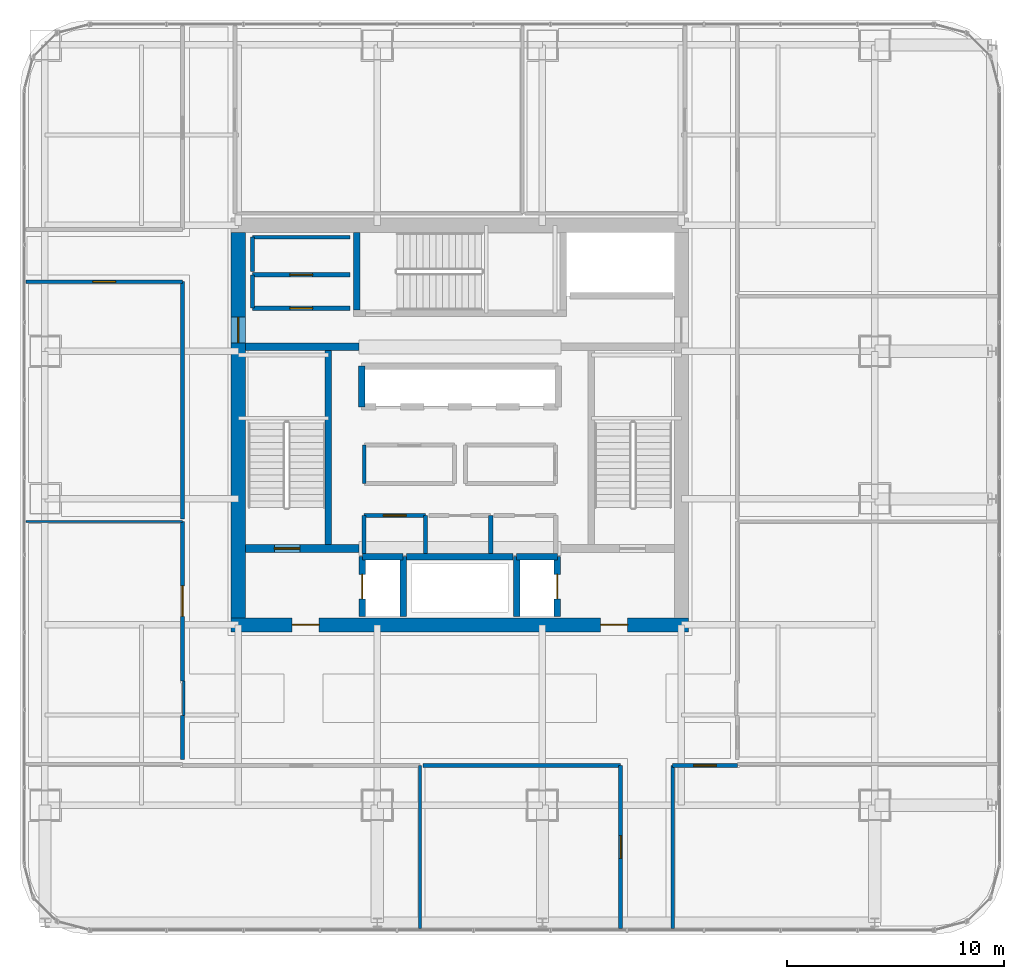
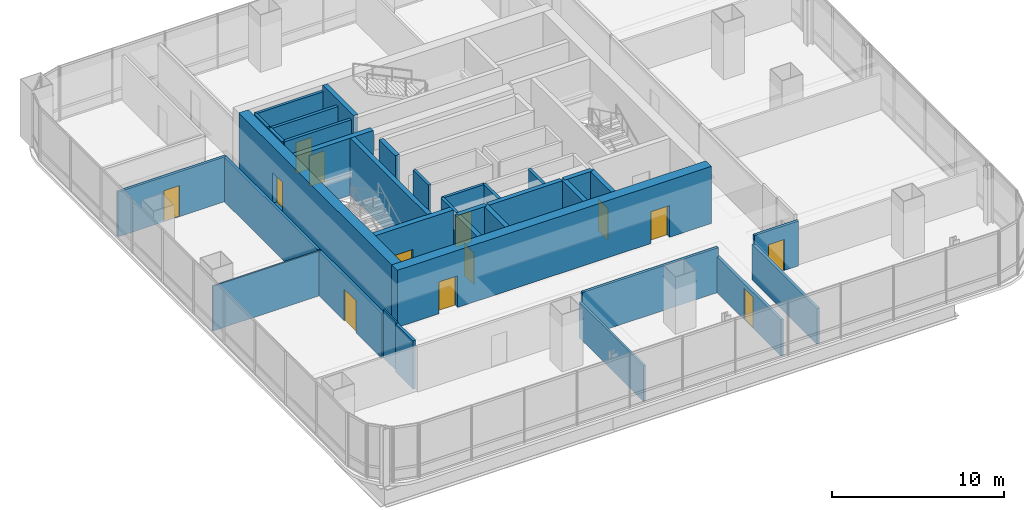
# One storey, part 29 of 36: 35 walls, 13 doors, 13 openings.
"""IFC4 building model written with IfcOpenShell, lengths in metres."""

from ifc_helpers import new_model, si_unit, direction, frame, frame_2d, origin, place, context, subcontext, project, spatial, rectangle, extrude, material, layer, layer_set, type_object, element, fill, save


model = new_model("IFC4")

# Units and contexts
model_context = context("Model", 3, precision=1e-05, world=origin(), true_north=direction((0.0, 1.0)))
body_context = subcontext(model_context, "Body", "Model", "MODEL_VIEW")
ifc_project = project(units=[si_unit("LENGTHUNIT", "METRE"), si_unit("AREAUNIT", "SQUARE_METRE"), si_unit("VOLUMEUNIT", "CUBIC_METRE"), si_unit("PLANEANGLEUNIT", "RADIAN"), si_unit("MASSUNIT", "GRAM", prefix="KILO")], contexts=[model_context])

# Site, building, storey
site_placement = place(None, origin())
site = spatial("IfcSite", under=ifc_project, at=site_placement, CompositionType="ELEMENT")
building_placement = place(site_placement, origin())
building = spatial("IfcBuilding", under=site, at=building_placement, Name="Punatoya Terracotta Tower", CompositionType="ELEMENT")
storey_placement = place(building_placement, frame((0.0, 0.0, 208.64990234375)))
storey = spatial("IfcBuildingStorey", under=building, at=storey_placement, Name="L49", CompositionType="ELEMENT", Elevation=208.64990234375)

# Wall, openings, doors
ifc_material_1 = material(Name="Concrete C60/75", Category="concrete")
ifc_layer_1 = layer(ifc_material_1, 0.64990234375)
ifc_layer_set_1 = layer_set([ifc_layer_1], Name="Concrete C60/75")
wall_type_1 = type_object("IfcWallType", Name="WL-COR-650", PredefinedType="SHEAR", material=ifc_layer_set_1)
wall_1_placement = place(storey_placement, frame((10.52490234375, -9.199951171875, 0.0), z_axis=(0.0, 0.0, 1.0), x_axis=(-1.0, 0.0, 0.0)))
wall_1 = element("IfcWall", 1, at=wall_1_placement, inside=storey, type_object=wall_type_1, Name="L49 Core Shear Wall S", PredefinedType="SHEAR", context=body_context, shape_type="SweptSolid", body=[
    extrude(rectangle(XDim=21.0498046875, YDim=0.64990234375, at=frame_2d((10.52490234375, 0.0))), origin(), (0.0, 0.0, 1.0), 4.050048828125),
])
opening_1_placement = place(wall_1_placement, frame((2.800048828125, 0.0, 0.0)))
opening_1 = element("IfcOpeningElement", 2, at=opening_1_placement, cuts=wall_1, Name="Opening FD-L1", PredefinedType="OPENING", context=body_context, shape_type="SweptSolid", body=[
    extrude(rectangle(XDim=1.25, YDim=2.25, at=frame_2d((0.625, 1.125))), frame((0.0, 0.3349609375, 0.0), z_axis=(0.0, -1.0, 0.0), x_axis=(1.0, 0.0, 0.0)), (0.0, 0.0, 1.0), 0.669921875),
])
opening_2_placement = place(wall_1_placement, frame((17.0, 0.0, 0.0)))
opening_2 = element("IfcOpeningElement", 3, at=opening_2_placement, cuts=wall_1, Name="Opening FD-L1", PredefinedType="OPENING", context=body_context, shape_type="SweptSolid", body=[
    extrude(rectangle(XDim=1.25, YDim=2.25, at=frame_2d((0.625, 1.125))), frame((0.0, 0.3349609375, 0.0), z_axis=(0.0, -1.0, 0.0), x_axis=(1.0, 0.0, 0.0)), (0.0, 0.0, 1.0), 0.669921875),
])
ifc_material_2 = material(Name="Galvanised Steel Smokeproof Fire Door", Category="steel")
door_type_1 = type_object("IfcDoorType", Name="DR-FFL-1250", OperationType="NOTDEFINED", PredefinedType="DOOR", material=ifc_material_2)
door_1_placement = place(opening_1_placement, origin())
door_1 = element("IfcDoor", 4, at=door_1_placement, inside=storey, type_object=door_type_1, Name="L49 East Firefighting Lobby Corridor Fire Door", OperationType="SINGLE_SWING_LEFT", OverallHeight=2.25, OverallWidth=1.25, PredefinedType="DOOR", context=body_context, shape_type="SweptSolid", body=[
    extrude(rectangle(XDim=1.25, YDim=2.25, at=frame_2d((0.625, 1.125))), frame((0.0, 0.02490234375, 0.0), z_axis=(0.0, -1.0, 0.0), x_axis=(1.0, 0.0, 0.0)), (0.0, 0.0, 1.0), 0.050048828125),
])
fill(opening_1, door_1)
door_2_placement = place(opening_2_placement, origin())
door_2 = element("IfcDoor", 5, at=door_2_placement, inside=storey, type_object=door_type_1, Name="L49 West Firefighting Lobby Corridor Fire Door", OperationType="SINGLE_SWING_RIGHT", OverallHeight=2.25, OverallWidth=1.25, PredefinedType="DOOR", context=body_context, shape_type="SweptSolid", body=[
    extrude(rectangle(XDim=1.25, YDim=2.25, at=frame_2d((0.625, 1.125))), frame((0.0, 0.02490234375, 0.0), z_axis=(0.0, -1.0, 0.0), x_axis=(1.0, 0.0, 0.0)), (0.0, 0.0, 1.0), 0.050048828125),
])
fill(opening_2, door_2)

# Wall, opening, door
wall_2_placement = place(storey_placement, frame((-10.199951171875, -8.875, 0.0), z_axis=(0.0, 0.0, 1.0), x_axis=(0.0, 1.0, 0.0)))
wall_2 = element("IfcWall", 6, at=wall_2_placement, inside=storey, type_object=wall_type_1, Name="L49 Core Shear Wall W", PredefinedType="SHEAR", context=body_context, shape_type="SweptSolid", body=[
    extrude(rectangle(XDim=17.75, YDim=0.64990234375, at=frame_2d((8.875, 0.0))), origin(), (0.0, 0.0, 1.0), 4.050048828125),
])
opening_3_placement = place(wall_2_placement, frame((12.6650390625, 0.0, 0.0)))
opening_3 = element("IfcOpeningElement", 7, at=opening_3_placement, cuts=wall_2, Name="Opening SD-01", PredefinedType="OPENING", context=body_context, shape_type="SweptSolid", body=[
    extrude(rectangle(XDim=1.179931640625, YDim=2.199951171875, at=frame_2d((0.58984375, 1.10009765625))), frame((0.0, 0.3349609375, 0.0), z_axis=(0.0, -1.0, 0.0), x_axis=(1.0, 0.0, 0.0)), (0.0, 0.0, 1.0), 0.669921875),
])
ifc_material_3 = material(Name="Galvanised Steel Pressurized Stair Fire Door", Category="steel")
door_type_2 = type_object("IfcDoorType", Name="DR-STR-1180", OperationType="NOTDEFINED", PredefinedType="DOOR", material=ifc_material_3)
door_3_placement = place(opening_3_placement, origin())
door_3 = element("IfcDoor", 8, at=door_3_placement, inside=storey, type_object=door_type_2, Name="L49 Central Lift Lobby West Fire Door", OperationType="SINGLE_SWING_LEFT", OverallHeight=2.199951171875, OverallWidth=1.179931640625, PredefinedType="DOOR", context=body_context, shape_type="SweptSolid", body=[
    extrude(rectangle(XDim=1.179931640625, YDim=2.199951171875, at=frame_2d((0.58984375, 1.10009765625))), frame((0.0, 0.02490234375, 0.0), z_axis=(0.0, -1.0, 0.0), x_axis=(1.0, 0.0, 0.0)), (0.0, 0.0, 1.0), 0.050048828125),
])
fill(opening_3, door_3)

# Wall
ifc_material_4 = material(Name="Gypsum Fireboard + Steel Stud", Category="steel")
ifc_layer_2 = layer(ifc_material_4, 0.179931640625)
ifc_layer_set_2 = layer_set([ifc_layer_2], Name="Gypsum Fireboard + Steel Stud")
wall_type_2 = type_object("IfcWallType", Name="WL-CORR-180", PredefinedType="PARTITIONING", material=ifc_layer_set_2)
wall_3_placement = place(storey_placement, frame((-1.580078125, -5.89990234375, 0.0), z_axis=(0.0, 0.0, 1.0), x_axis=(0.0, 1.0, 0.0)))
element("IfcWall", 9, at=wall_3_placement, inside=storey, type_object=wall_type_2, Name="L49 Core Quiet Wellness Room Partition 01", PredefinedType="PARTITIONING", context=body_context, shape_type="SweptSolid", body=[
    extrude(rectangle(XDim=1.739990234375, YDim=0.179931640625, at=frame_2d((0.8701171875, 0.0))), origin(), (0.0, 0.0, 1.0), 3.830078125),
])

# Wall, opening, door
wall_4_placement = place(storey_placement, frame((-1.580078125, -4.159912109375, 0.0), z_axis=(0.0, 0.0, 1.0), x_axis=(-1.0, 0.0, 0.0)))
wall_4 = element("IfcWall", 10, at=wall_4_placement, inside=storey, type_object=wall_type_2, Name="L49 Core Quiet Wellness Room Partition 02", PredefinedType="PARTITIONING", context=body_context, shape_type="SweptSolid", body=[
    extrude(rectangle(XDim=2.83984375, YDim=0.179931640625, at=frame_2d((1.419921875, 0.0))), origin(), (0.0, 0.0, 1.0), 3.830078125),
])
opening_4_placement = place(wall_4_placement, frame((0.89501953125, 0.0, 0.0)))
opening_4 = element("IfcOpeningElement", 11, at=opening_4_placement, cuts=wall_4, Name="Opening OD-01", PredefinedType="OPENING", context=body_context, shape_type="SweptSolid", body=[
    extrude(rectangle(XDim=1.050048828125, YDim=2.199951171875, at=frame_2d((0.52490234375, 1.10009765625))), frame((0.0, 0.099853515625, 0.0), z_axis=(0.0, -1.0, 0.0), x_axis=(1.0, 0.0, 0.0)), (0.0, 0.0, 1.0), 0.199951171875),
])
ifc_material_5 = material(Name="Bengal Teak Solid-Core Leaf")
door_type_3 = type_object("IfcDoorType", Name="DR-OFF-1050", OperationType="NOTDEFINED", PredefinedType="DOOR", material=ifc_material_5)
door_4_placement = place(opening_4_placement, origin())
door_4 = element("IfcDoor", 12, at=door_4_placement, inside=storey, type_object=door_type_3, Name="L49 Quiet Wellness Room Door", OperationType="SINGLE_SWING_LEFT", OverallHeight=2.199951171875, OverallWidth=1.050048828125, PredefinedType="DOOR", context=body_context, shape_type="SweptSolid", body=[
    extrude(rectangle(XDim=1.050048828125, YDim=2.199951171875, at=frame_2d((0.52490234375, 1.10009765625))), frame((0.0, 0.02490234375, 0.0), z_axis=(0.0, -1.0, 0.0), x_axis=(1.0, 0.0, 0.0)), (0.0, 0.0, 1.0), 0.050048828125),
])
fill(opening_4, door_4)

# Walls
wall_5_placement = place(storey_placement, frame((-4.419921875, -4.159912109375, 0.0), z_axis=(0.0, 0.0, 1.0), x_axis=(0.0, -1.0, 0.0)))
element("IfcWall", 13, at=wall_5_placement, inside=storey, type_object=wall_type_2, Name="L49 Core Quiet Wellness Room Partition 03", PredefinedType="PARTITIONING", context=body_context, shape_type="SweptSolid", body=[
    extrude(rectangle(XDim=1.739990234375, YDim=0.179931640625, at=frame_2d((0.8701171875, 0.0))), origin(), (0.0, 0.0, 1.0), 3.830078125),
])
wall_6_placement = place(storey_placement, frame((-4.39990234375, -0.919921875, 0.0), z_axis=(0.0, 0.0, 1.0), x_axis=(0.0, -1.0, 0.0)))
element("IfcWall", 14, at=wall_6_placement, inside=storey, type_object=wall_type_2, Name="L49 West Core Focus Pod Partition 10", PredefinedType="PARTITIONING", context=body_context, shape_type="SweptSolid", body=[
    extrude(rectangle(XDim=1.760009765625, YDim=0.179931640625, at=frame_2d((0.8798828125, 0.0))), origin(), (0.0, 0.0, 1.0), 3.830078125),
])
wall_7_placement = place(storey_placement, frame((-5.050048828125, 8.64990234375, 0.0), z_axis=(0.0, 0.0, 1.0), x_axis=(-1.0, 0.0, 0.0)))
element("IfcWall", 15, at=wall_7_placement, inside=storey, type_object=wall_type_2, Name="L49 West Core Copy Room Partition 19", PredefinedType="PARTITIONING", context=body_context, shape_type="SweptSolid", body=[
    extrude(rectangle(XDim=4.5, YDim=0.179931640625, at=frame_2d((2.25, 0.0))), origin(), (0.0, 0.0, 1.0), 3.830078125),
])
wall_8_placement = place(storey_placement, frame((-9.550048828125, 8.64990234375, 0.0), z_axis=(0.0, 0.0, 1.0), x_axis=(0.0, -1.0, 0.0)))
element("IfcWall", 16, at=wall_8_placement, inside=storey, type_object=wall_type_2, Name="L49 West Core Copy Room Partition 20", PredefinedType="PARTITIONING", context=body_context, shape_type="SweptSolid", body=[
    extrude(rectangle(XDim=1.56982421875, YDim=0.179931640625, at=frame_2d((0.784912109375, 0.0))), origin(), (0.0, 0.0, 1.0), 3.830078125),
])

# Wall, opening, door
wall_9_placement = place(storey_placement, frame((7.39990234375, -15.669921875, 0.0), z_axis=(0.0, 0.0, 1.0), x_axis=(0.0, -1.0, 0.0)))
wall_9 = element("IfcWall", 17, at=wall_9_placement, inside=storey, type_object=wall_type_2, Name="L49 Open-Plan Analytical Practice Office Partition 24", PredefinedType="PARTITIONING", context=body_context, shape_type="SweptSolid", body=[
    extrude(rectangle(XDim=7.5, YDim=0.179931640625, at=frame_2d((3.75, 0.0))), origin(), (0.0, 0.0, 1.0), 2.544189453125),
])
opening_5_placement = place(wall_9_placement, frame((3.22509765625, 0.0, 0.0)))
opening_5 = element("IfcOpeningElement", 18, at=opening_5_placement, cuts=wall_9, Name="Opening OD-01", PredefinedType="OPENING", context=body_context, shape_type="SweptSolid", body=[
    extrude(rectangle(XDim=1.050048828125, YDim=2.199951171875, at=frame_2d((0.52490234375, 1.10009765625))), frame((0.0, 0.099853515625, 0.0), z_axis=(0.0, -1.0, 0.0), x_axis=(1.0, 0.0, 0.0)), (0.0, 0.0, 1.0), 0.199951171875),
])
door_5_placement = place(opening_5_placement, origin())
door_5 = element("IfcDoor", 19, at=door_5_placement, inside=storey, type_object=door_type_3, Name="L49 Open-Plan Analytical Practice Office Door", OperationType="SINGLE_SWING_LEFT", OverallHeight=2.199951171875, OverallWidth=1.050048828125, PredefinedType="DOOR", context=body_context, shape_type="SweptSolid", body=[
    extrude(rectangle(XDim=1.050048828125, YDim=2.199951171875, at=frame_2d((0.52490234375, 1.10009765625))), frame((0.0, 0.02490234375, 0.0), z_axis=(0.0, -1.0, 0.0), x_axis=(1.0, 0.0, 0.0)), (0.0, 0.0, 1.0), 0.050048828125),
])
fill(opening_5, door_5)

# Wall
wall_10_placement = place(storey_placement, frame((-1.70703125, -15.669921875, 0.0), z_axis=(0.0, 0.0, 1.0), x_axis=(1.0, 0.0, 0.0)))
element("IfcWall", 20, at=wall_10_placement, inside=storey, type_object=wall_type_2, Name="L49 Open-Plan Analytical Practice Office Partition 25", PredefinedType="PARTITIONING", context=body_context, shape_type="SweptSolid", body=[
    extrude(rectangle(XDim=9.10693359375, YDim=0.179931640625, at=frame_2d((4.553466796875, 0.0))), origin(), (0.0, 0.0, 1.0), 3.174072265625),
])

# Wall, opening, door
wall_11_placement = place(storey_placement, frame((9.800048828125, -15.669921875, 0.0), z_axis=(0.0, 0.0, 1.0), x_axis=(1.0, 0.0, 0.0)))
wall_11 = element("IfcWall", 21, at=wall_11_placement, inside=storey, type_object=wall_type_2, Name="L49 Open-Plan Project Design Office Partition 26", PredefinedType="PARTITIONING", context=body_context, shape_type="SweptSolid", body=[
    extrude(rectangle(XDim=2.969970703125, YDim=0.179931640625, at=frame_2d((1.48486328125, 0.0))), origin(), (0.0, 0.0, 1.0), 3.174072265625),
])
opening_6_placement = place(wall_11_placement, frame((0.9599609375, 0.0, 0.0)))
opening_6 = element("IfcOpeningElement", 22, at=opening_6_placement, cuts=wall_11, Name="Opening OD-01", PredefinedType="OPENING", context=body_context, shape_type="SweptSolid", body=[
    extrude(rectangle(XDim=1.050048828125, YDim=2.199951171875, at=frame_2d((0.52490234375, 1.10009765625))), frame((0.0, 0.099853515625, 0.0), z_axis=(0.0, -1.0, 0.0), x_axis=(1.0, 0.0, 0.0)), (0.0, 0.0, 1.0), 0.199951171875),
])
door_6_placement = place(opening_6_placement, origin())
door_6 = element("IfcDoor", 23, at=door_6_placement, inside=storey, type_object=door_type_3, Name="L49 Open-Plan Project Design Office Door", OperationType="SINGLE_SWING_RIGHT", OverallHeight=2.199951171875, OverallWidth=1.050048828125, PredefinedType="DOOR", context=body_context, shape_type="SweptSolid", body=[
    extrude(rectangle(XDim=1.050048828125, YDim=2.199951171875, at=frame_2d((0.52490234375, 1.10009765625))), frame((0.0, 0.02490234375, 0.0), z_axis=(0.0, -1.0, 0.0), x_axis=(1.0, 0.0, 0.0)), (0.0, 0.0, 1.0), 0.050048828125),
])
fill(opening_6, door_6)

# Wall
wall_12_placement = place(storey_placement, frame((9.800048828125, -23.169921875, 0.0), z_axis=(0.0, 0.0, 1.0), x_axis=(0.0, 1.0, 0.0)))
element("IfcWall", 24, at=wall_12_placement, inside=storey, type_object=wall_type_2, Name="L49 Open-Plan Project Design Office Partition 28", PredefinedType="PARTITIONING", context=body_context, shape_type="SweptSolid", body=[
    extrude(rectangle(XDim=7.5, YDim=0.179931640625, at=frame_2d((3.75, 0.0))), origin(), (0.0, 0.0, 1.0), 2.544189453125),
])

# Wall, opening, door
wall_13_placement = place(storey_placement, frame((-12.77001953125, -4.43798828125, 0.0), z_axis=(0.0, 0.0, 1.0), x_axis=(0.0, -1.0, 0.0)))
wall_13 = element("IfcWall", 25, at=wall_13_placement, inside=storey, type_object=wall_type_2, Name="L49 Client Strategy Boardroom Partition 30", PredefinedType="PARTITIONING", context=body_context, shape_type="SweptSolid", body=[
    extrude(rectangle(XDim=7.33203125, YDim=0.179931640625, at=frame_2d((3.666015625, 0.0))), origin(), (0.0, 0.0, 1.0), 3.174072265625),
])
opening_7_placement = place(wall_13_placement, frame((2.966064453125, 0.0, 0.0)))
opening_7 = element("IfcOpeningElement", 26, at=opening_7_placement, cuts=wall_13, Name="Opening BD-01", PredefinedType="OPENING", context=body_context, shape_type="SweptSolid", body=[
    extrude(rectangle(XDim=1.39990234375, YDim=2.25, at=frame_2d((0.699951171875, 1.125))), frame((0.0, 0.099853515625, 0.0), z_axis=(0.0, -1.0, 0.0), x_axis=(1.0, 0.0, 0.0)), (0.0, 0.0, 1.0), 0.199951171875),
])
ifc_material_6 = material(Name="Bengal Teak Acoustic Leaf")
door_type_4 = type_object("IfcDoorType", Name="DR-BRD-1400", OperationType="NOTDEFINED", PredefinedType="DOOR", material=ifc_material_6)
door_7_placement = place(opening_7_placement, origin())
door_7 = element("IfcDoor", 27, at=door_7_placement, inside=storey, type_object=door_type_4, Name="L49 Client Strategy Boardroom Door", OperationType="SINGLE_SWING_LEFT", OverallHeight=2.25, OverallWidth=1.39990234375, PredefinedType="DOOR", context=body_context, shape_type="SweptSolid", body=[
    extrude(rectangle(XDim=1.39990234375, YDim=2.25, at=frame_2d((0.699951171875, 1.125))), frame((0.0, 0.02490234375, 0.0), z_axis=(0.0, -1.0, 0.0), x_axis=(1.0, 0.0, 0.0)), (0.0, 0.0, 1.0), 0.050048828125),
])
fill(opening_7, door_7)

# Wall
wall_14_placement = place(storey_placement, frame((-12.77001953125, -13.3798828125, 0.0), z_axis=(0.0, 0.0, 1.0), x_axis=(0.0, -1.0, 0.0)))
element("IfcWall", 28, at=wall_14_placement, inside=storey, type_object=wall_type_2, Name="L49 Client Strategy Boardroom Partition 32", PredefinedType="PARTITIONING", context=body_context, shape_type="SweptSolid", body=[
    extrude(rectangle(XDim=2.010009765625, YDim=0.179931640625, at=frame_2d((1.0048828125, 0.0))), origin(), (0.0, 0.0, 1.0), 3.424072265625),
])

# Wall, opening, door
wall_15_placement = place(storey_placement, frame((-19.969970703125, 6.60009765625, 0.0), z_axis=(0.0, 0.0, 1.0), x_axis=(1.0, 0.0, 0.0)))
wall_15 = element("IfcWall", 29, at=wall_15_placement, inside=storey, type_object=wall_type_2, Name="L49 Open-Plan Wellness Quiet Room Partition 39", PredefinedType="PARTITIONING", context=body_context, shape_type="SweptSolid", body=[
    extrude(rectangle(XDim=7.199951171875, YDim=0.179931640625, at=frame_2d((3.60009765625, 0.0))), origin(), (0.0, 0.0, 1.0), 3.174072265625),
])
opening_8_placement = place(wall_15_placement, frame((3.074951171875, 0.0, 0.0)))
opening_8 = element("IfcOpeningElement", 30, at=opening_8_placement, cuts=wall_15, Name="Opening OD-01", PredefinedType="OPENING", context=body_context, shape_type="SweptSolid", body=[
    extrude(rectangle(XDim=1.050048828125, YDim=2.199951171875, at=frame_2d((0.52490234375, 1.10009765625))), frame((0.0, 0.099853515625, 0.0), z_axis=(0.0, -1.0, 0.0), x_axis=(1.0, 0.0, 0.0)), (0.0, 0.0, 1.0), 0.199951171875),
])
door_8_placement = place(opening_8_placement, origin())
door_8 = element("IfcDoor", 31, at=door_8_placement, inside=storey, type_object=door_type_3, Name="L49 Open-Plan Wellness Quiet Room Door", OperationType="SINGLE_SWING_RIGHT", OverallHeight=2.199951171875, OverallWidth=1.050048828125, PredefinedType="DOOR", context=body_context, shape_type="SweptSolid", body=[
    extrude(rectangle(XDim=1.050048828125, YDim=2.199951171875, at=frame_2d((0.52490234375, 1.10009765625))), frame((0.0, 0.02490234375, 0.0), z_axis=(0.0, -1.0, 0.0), x_axis=(1.0, 0.0, 0.0)), (0.0, 0.0, 1.0), 0.050048828125),
])
fill(opening_8, door_8)

# Walls
wall_16_placement = place(storey_placement, frame((-12.77001953125, 6.60009765625, 0.0), z_axis=(0.0, 0.0, 1.0), x_axis=(0.0, -1.0, 0.0)))
element("IfcWall", 32, at=wall_16_placement, inside=storey, type_object=wall_type_2, Name="L49 Open-Plan Wellness Quiet Room Partition 40", PredefinedType="PARTITIONING", context=body_context, shape_type="SweptSolid", body=[
    extrude(rectangle(XDim=10.918212890625, YDim=0.179931640625, at=frame_2d((5.458984375, 0.0))), origin(), (0.0, 0.0, 1.0), 3.174072265625),
])
ifc_material_7 = material(Name="Aluminium Framed Acoustic Glass Partition", Category="aluminium")
ifc_layer_3 = layer(ifc_material_7, 0.10009765625)
ifc_layer_set_3 = layer_set([ifc_layer_3], Name="Aluminium Framed Acoustic Glass Partition")
wall_type_3 = type_object("IfcWallType", Name="WL-GLZ-100", PredefinedType="PARTITIONING", material=ifc_layer_set_3)
wall_17_placement = place(storey_placement, frame((-19.969970703125, -4.43798828125, 0.0), z_axis=(0.0, 0.0, 1.0), x_axis=(1.0, 0.0, 0.0)))
element("IfcWall", 33, at=wall_17_placement, inside=storey, type_object=wall_type_3, Name="L49 Client Strategy Boardroom Partition 29", PredefinedType="PARTITIONING", context=body_context, shape_type="SweptSolid", body=[
    extrude(rectangle(XDim=7.199951171875, YDim=0.10009765625, at=frame_2d((3.60009765625, 0.0))), origin(), (0.0, 0.0, 1.0), 3.174072265625),
])
wall_18_placement = place(storey_placement, frame((-12.7099609375, -11.77001953125, 0.0), z_axis=(0.0, 0.0, 1.0), x_axis=(0.0, -1.0, 0.0)))
element("IfcWall", 34, at=wall_18_placement, inside=storey, type_object=wall_type_3, Name="L49 Client Strategy Boardroom Partition 31", PredefinedType="PARTITIONING", context=body_context, shape_type="SweptSolid", body=[
    extrude(rectangle(XDim=1.60986328125, YDim=0.10009765625, at=frame_2d((0.804931640625, 0.0))), origin(), (0.0, 0.0, 1.0), 3.424072265625),
])
ifc_material_8 = material(Name="Concrete C40/50", Category="concrete")
ifc_layer_4 = layer(ifc_material_8, 0.199951171875)
ifc_layer_set_4 = layer_set([ifc_layer_4], Name="Concrete C40/50")
wall_type_4 = type_object("IfcWallType", Name="WL-INT-200", PredefinedType="SOLIDWALL", material=ifc_layer_set_4)
wall_19_placement = place(storey_placement, frame((1.419921875, -5.89990234375, 0.0), z_axis=(0.0, 0.0, 1.0), x_axis=(0.0, 1.0, 0.0)))
element("IfcWall", 35, at=wall_19_placement, inside=storey, type_object=wall_type_4, Name="L49 Accessible Universal Washroom Partition 04", PredefinedType="SOLIDWALL", context=body_context, shape_type="SweptSolid", body=[
    extrude(rectangle(XDim=1.739990234375, YDim=0.199951171875, at=frame_2d((0.8701171875, 0.0))), origin(), (0.0, 0.0, 1.0), 3.830078125),
])

# Wall, opening, door
wall_20_placement = place(storey_placement, frame((-5.050048828125, 6.919921875, 0.0), z_axis=(0.0, 0.0, 1.0), x_axis=(-1.0, 0.0, 0.0)))
wall_20 = element("IfcWall", 36, at=wall_20_placement, inside=storey, type_object=wall_type_4, Name="L49 West Core Tea Pantry Partition 16", PredefinedType="SOLIDWALL", context=body_context, shape_type="SweptSolid", body=[
    extrude(rectangle(XDim=4.5, YDim=0.199951171875, at=frame_2d((2.25, 0.0))), origin(), (0.0, 0.0, 1.0), 3.830078125),
])
opening_9_placement = place(wall_20_placement, frame((1.72509765625, 0.0, 0.0)))
opening_9 = element("IfcOpeningElement", 37, at=opening_9_placement, cuts=wall_20, Name="Opening OD-01", PredefinedType="OPENING", context=body_context, shape_type="SweptSolid", body=[
    extrude(rectangle(XDim=1.050048828125, YDim=2.199951171875, at=frame_2d((0.52490234375, 1.10009765625))), frame((0.0, 0.10986328125, 0.0), z_axis=(0.0, -1.0, 0.0), x_axis=(1.0, 0.0, 0.0)), (0.0, 0.0, 1.0), 0.219970703125),
])
door_9_placement = place(opening_9_placement, origin())
door_9 = element("IfcDoor", 38, at=door_9_placement, inside=storey, type_object=door_type_3, Name="L49 West Copy Room Door", OperationType="SINGLE_SWING_LEFT", OverallHeight=2.199951171875, OverallWidth=1.050048828125, PredefinedType="DOOR", context=body_context, shape_type="SweptSolid", body=[
    extrude(rectangle(XDim=1.050048828125, YDim=2.199951171875, at=frame_2d((0.52490234375, 1.10009765625))), frame((0.0, 0.02490234375, 0.0), z_axis=(0.0, -1.0, 0.0), x_axis=(1.0, 0.0, 0.0)), (0.0, 0.0, 1.0), 0.050048828125),
])
fill(opening_9, door_9)

# Wall
wall_21_placement = place(storey_placement, frame((-9.550048828125, 6.919921875, 0.0), z_axis=(0.0, 0.0, 1.0), x_axis=(0.0, -1.0, 0.0)))
element("IfcWall", 39, at=wall_21_placement, inside=storey, type_object=wall_type_4, Name="L49 West Core Tea Pantry Partition 17", PredefinedType="SOLIDWALL", context=body_context, shape_type="SweptSolid", body=[
    extrude(rectangle(XDim=1.5400390625, YDim=0.199951171875, at=frame_2d((0.77001953125, 0.0))), origin(), (0.0, 0.0, 1.0), 3.830078125),
])

# Wall, opening, door
wall_22_placement = place(storey_placement, frame((-9.550048828125, 5.3798828125, 0.0), z_axis=(0.0, 0.0, 1.0), x_axis=(1.0, 0.0, 0.0)))
wall_22 = element("IfcWall", 40, at=wall_22_placement, inside=storey, type_object=wall_type_4, Name="L49 West Core Tea Pantry Partition 18", PredefinedType="SOLIDWALL", context=body_context, shape_type="SweptSolid", body=[
    extrude(rectangle(XDim=4.5, YDim=0.199951171875, at=frame_2d((2.25, 0.0))), origin(), (0.0, 0.0, 1.0), 3.830078125),
])
opening_10_placement = place(wall_22_placement, frame((1.72509765625, 0.0, 0.0)))
opening_10 = element("IfcOpeningElement", 41, at=opening_10_placement, cuts=wall_22, Name="Opening OD-01", PredefinedType="OPENING", context=body_context, shape_type="SweptSolid", body=[
    extrude(rectangle(XDim=1.050048828125, YDim=2.199951171875, at=frame_2d((0.52490234375, 1.10009765625))), frame((0.0, 0.10986328125, 0.0), z_axis=(0.0, -1.0, 0.0), x_axis=(1.0, 0.0, 0.0)), (0.0, 0.0, 1.0), 0.219970703125),
])
door_10_placement = place(opening_10_placement, origin())
door_10 = element("IfcDoor", 42, at=door_10_placement, inside=storey, type_object=door_type_3, Name="L49 West Tea Pantry Door", OperationType="SINGLE_SWING_RIGHT", OverallHeight=2.199951171875, OverallWidth=1.050048828125, PredefinedType="DOOR", context=body_context, shape_type="SweptSolid", body=[
    extrude(rectangle(XDim=1.050048828125, YDim=2.199951171875, at=frame_2d((0.52490234375, 1.10009765625))), frame((0.0, 0.02490234375, 0.0), z_axis=(0.0, -1.0, 0.0), x_axis=(1.0, 0.0, 0.0)), (0.0, 0.0, 1.0), 0.050048828125),
])
fill(opening_10, door_10)

# Walls
ifc_material_9 = material(Name="Acoustic Gypsum + Steel Stud", Category="steel")
ifc_layer_5 = layer(ifc_material_9, 0.139892578125)
ifc_layer_set_5 = layer_set([ifc_layer_5], Name="Acoustic Gypsum + Steel Stud")
wall_type_5 = type_object("IfcWallType", Name="WL-OFF-140", PredefinedType="PARTITIONING", material=ifc_layer_set_5)
wall_23_placement = place(storey_placement, frame((-1.826904296875, -15.669921875, 0.0), z_axis=(0.0, 0.0, 1.0), x_axis=(0.0, -1.0, 0.0)))
element("IfcWall", 43, at=wall_23_placement, inside=storey, type_object=wall_type_5, Name="L49 Open Workplace Studio Partition 22", PredefinedType="PARTITIONING", context=body_context, shape_type="SweptSolid", body=[
    extrude(rectangle(XDim=7.5, YDim=0.139892578125, at=frame_2d((3.75, 0.0))), origin(), (0.0, 0.0, 1.0), 2.544189453125),
])
ifc_layer_6 = layer(ifc_material_8, 0.300048828125)
ifc_layer_set_6 = layer_set([ifc_layer_6], Name="Concrete C40/50")
wall_type_6 = type_object("IfcWallType", Name="WL-SHF-300", PredefinedType="SOLIDWALL", material=ifc_layer_set_6)
wall_24_placement = place(storey_placement, frame((-6.050048828125, -5.5, 0.0), z_axis=(0.0, 0.0, 1.0), x_axis=(0.0, 1.0, 0.0)))
element("IfcWall", 44, at=wall_24_placement, inside=storey, type_object=wall_type_6, Name="L49 Structural Stair Shaft Wall SW-ST1-E", PredefinedType="SOLIDWALL", context=body_context, shape_type="SweptSolid", body=[
    extrude(rectangle(XDim=8.949951171875, YDim=0.300048828125, at=frame_2d((4.47509765625, 0.0))), origin(), (0.0, 0.0, 1.0), 4.050048828125),
])
wall_25_placement = place(storey_placement, frame((-4.75, 5.300048828125, 0.0), z_axis=(0.0, 0.0, 1.0), x_axis=(0.0, 1.0, 0.0)))
element("IfcWall", 45, at=wall_25_placement, inside=storey, type_object=wall_type_6, Name="L49 Structural Stair Shaft Wall SW-ST3-W", PredefinedType="SOLIDWALL", context=body_context, shape_type="SweptSolid", body=[
    extrude(rectangle(XDim=3.574951171875, YDim=0.300048828125, at=frame_2d((1.78759765625, 0.0))), origin(), (0.0, 0.0, 1.0), 4.050048828125),
])

# Wall, opening, door
wall_26_placement = place(storey_placement, frame((-4.489990234375, -8.820068359375, 0.0), z_axis=(0.0, 0.0, 1.0), x_axis=(0.0, 1.0, 0.0)))
wall_26 = element("IfcWall", 46, at=wall_26_placement, inside=storey, type_object=wall_type_6, Name="L49 FFL-1 Front Hoistway Wall", PredefinedType="SOLIDWALL", context=body_context, shape_type="SweptSolid", body=[
    extrude(rectangle(XDim=2.77001953125, YDim=0.300048828125, at=frame_2d((1.385009765625, 0.0))), origin(), (0.0, 0.0, 1.0), 3.830078125),
])
opening_11_placement = place(wall_26_placement, frame((0.824951171875, 0.0, 0.0)))
opening_11 = element("IfcOpeningElement", 47, at=opening_11_placement, cuts=wall_26, Name="Opening LD-02", PredefinedType="OPENING", context=body_context, shape_type="SweptSolid", body=[
    extrude(rectangle(XDim=1.1201171875, YDim=2.25, at=frame_2d((0.56005859375, 1.125))), frame((0.0, 0.159912109375, 0.0), z_axis=(0.0, -1.0, 0.0), x_axis=(1.0, 0.0, 0.0)), (0.0, 0.0, 1.0), 0.320068359375),
])
ifc_material_10 = material(Name="Stainless Steel Lift Landing Door", Category="steel")
door_type_5 = type_object("IfcDoorType", Name="DR-LND-1120", OperationType="NOTDEFINED", PredefinedType="DOOR", material=ifc_material_10)
door_11_placement = place(opening_11_placement, origin())
door_11 = element("IfcDoor", 48, at=door_11_placement, inside=storey, type_object=door_type_5, Name="L49 Firefighting Lift FFL-1 Sliding Landing Door", OperationType="SLIDING_TO_LEFT", OverallHeight=2.25, OverallWidth=1.1201171875, PredefinedType="DOOR", context=body_context, shape_type="SweptSolid", body=[
    extrude(rectangle(XDim=1.1201171875, YDim=2.25, at=frame_2d((0.56005859375, 1.125))), frame((0.0, 0.02490234375, 0.0), z_axis=(0.0, -1.0, 0.0), x_axis=(1.0, 0.0, 0.0)), (0.0, 0.0, 1.0), 0.050048828125),
])
fill(opening_11, door_11)

# Walls
wall_27_placement = place(storey_placement, frame((-2.610107421875, -8.820068359375, 0.0), z_axis=(0.0, 0.0, 1.0), x_axis=(0.0, 1.0, 0.0)))
element("IfcWall", 49, at=wall_27_placement, inside=storey, type_object=wall_type_6, Name="L49 FFL-1 Rear Hoistway Wall", PredefinedType="SOLIDWALL", context=body_context, shape_type="SweptSolid", body=[
    extrude(rectangle(XDim=2.77001953125, YDim=0.300048828125, at=frame_2d((1.385009765625, 0.0))), origin(), (0.0, 0.0, 1.0), 3.830078125),
])
wall_28_placement = place(storey_placement, frame((-4.489990234375, -6.050048828125, 0.0), z_axis=(0.0, 0.0, 1.0), x_axis=(1.0, 0.0, 0.0)))
element("IfcWall", 50, at=wall_28_placement, inside=storey, type_object=wall_type_6, Name="L49 FFL-1 North Hoistway Wall", PredefinedType="SOLIDWALL", context=body_context, shape_type="SweptSolid", body=[
    extrude(rectangle(XDim=1.8798828125, YDim=0.300048828125, at=frame_2d((0.93994140625, 0.0))), origin(), (0.0, 0.0, 1.0), 3.830078125),
])

# Wall, opening, door
wall_29_placement = place(storey_placement, frame((4.489990234375, -8.820068359375, 0.0), z_axis=(0.0, 0.0, 1.0), x_axis=(0.0, 1.0, 0.0)))
wall_29 = element("IfcWall", 51, at=wall_29_placement, inside=storey, type_object=wall_type_6, Name="L49 FFL-2 Front Hoistway Wall", PredefinedType="SOLIDWALL", context=body_context, shape_type="SweptSolid", body=[
    extrude(rectangle(XDim=2.77001953125, YDim=0.300048828125, at=frame_2d((1.385009765625, 0.0))), origin(), (0.0, 0.0, 1.0), 3.830078125),
])
opening_12_placement = place(wall_29_placement, frame((0.824951171875, 0.0, 0.0)))
opening_12 = element("IfcOpeningElement", 52, at=opening_12_placement, cuts=wall_29, Name="Opening LD-02", PredefinedType="OPENING", context=body_context, shape_type="SweptSolid", body=[
    extrude(rectangle(XDim=1.1201171875, YDim=2.25, at=frame_2d((0.56005859375, 1.125))), frame((0.0, 0.159912109375, 0.0), z_axis=(0.0, -1.0, 0.0), x_axis=(1.0, 0.0, 0.0)), (0.0, 0.0, 1.0), 0.320068359375),
])
door_12_placement = place(opening_12_placement, origin())
door_12 = element("IfcDoor", 53, at=door_12_placement, inside=storey, type_object=door_type_5, Name="L49 Firefighting Lift FFL-2 Sliding Landing Door", OperationType="SLIDING_TO_RIGHT", OverallHeight=2.25, OverallWidth=1.1201171875, PredefinedType="DOOR", context=body_context, shape_type="SweptSolid", body=[
    extrude(rectangle(XDim=1.1201171875, YDim=2.25, at=frame_2d((0.56005859375, 1.125))), frame((0.0, 0.02490234375, 0.0), z_axis=(0.0, -1.0, 0.0), x_axis=(1.0, 0.0, 0.0)), (0.0, 0.0, 1.0), 0.050048828125),
])
fill(opening_12, door_12)

# Walls
wall_30_placement = place(storey_placement, frame((2.610107421875, -8.820068359375, 0.0), z_axis=(0.0, 0.0, 1.0), x_axis=(0.0, 1.0, 0.0)))
element("IfcWall", 54, at=wall_30_placement, inside=storey, type_object=wall_type_6, Name="L49 FFL-2 Rear Hoistway Wall", PredefinedType="SOLIDWALL", context=body_context, shape_type="SweptSolid", body=[
    extrude(rectangle(XDim=2.77001953125, YDim=0.300048828125, at=frame_2d((1.385009765625, 0.0))), origin(), (0.0, 0.0, 1.0), 3.830078125),
])
for number, where, z_axis, x_axis, name in (
    (55, (2.610107421875, -6.050048828125, 0.0), (0.0, 0.0, 1.0), (1.0, 0.0, 0.0), "L49 FFL-2 North Hoistway Wall"),
    (56, (-4.52001953125, 0.840087890625, 0.0), (0.0, 0.0, 1.0), (0.0, 1.0, 0.0), "L49 North Lift Bank West End Wall"),
):
    element("IfcWall", number, at=place(storey_placement, frame(where, z_axis=z_axis, x_axis=x_axis)), inside=storey, type_object=wall_type_6, Name=name, PredefinedType="SOLIDWALL", context=body_context, shape_type="SweptSolid", body=[
        extrude(rectangle(XDim=1.8798828125, YDim=0.300048828125, at=frame_2d((0.93994140625, 0.0))), origin(), (0.0, 0.0, 1.0), 3.830078125),
    ])
wall_31_placement = place(storey_placement, frame((-2.449951171875, -6.050048828125, 0.0), z_axis=(0.0, 0.0, 1.0), x_axis=(1.0, 0.0, 0.0)))
element("IfcWall", 57, at=wall_31_placement, inside=storey, type_object=wall_type_6, Name="L49 Observation Shuttle Rear Hoistway Wall", PredefinedType="SOLIDWALL", context=body_context, shape_type="SweptSolid", body=[
    extrude(rectangle(XDim=4.89990234375, YDim=0.300048828125, at=frame_2d((2.449951171875, 0.0))), origin(), (0.0, 0.0, 1.0), 3.830078125),
])

# Wall, opening, door
ifc_material_11 = material(Name="Concrete C50/60", Category="concrete")
ifc_layer_7 = layer(ifc_material_11, 0.35009765625)
ifc_layer_set_7 = layer_set([ifc_layer_7], Name="Concrete C50/60")
wall_type_7 = type_object("IfcWallType", Name="WL-SHF-350", PredefinedType="SOLIDWALL", material=ifc_layer_set_7)
wall_32_placement = place(storey_placement, frame((-9.875, -5.679931640625, 0.0), z_axis=(0.0, 0.0, 1.0), x_axis=(1.0, 0.0, 0.0)))
wall_32 = element("IfcWall", 58, at=wall_32_placement, inside=storey, type_object=wall_type_7, Name="L49 Core Web Wall CSW-L", PredefinedType="SOLIDWALL", context=body_context, shape_type="SweptSolid", body=[
    extrude(rectangle(XDim=5.22509765625, YDim=0.35009765625, at=frame_2d((2.612548828125, 0.0))), origin(), (0.0, 0.0, 1.0), 4.050048828125),
])
opening_13_placement = place(wall_32_placement, frame((1.3349609375, 0.0, 0.0)))
opening_13 = element("IfcOpeningElement", 59, at=opening_13_placement, cuts=wall_32, Name="Opening SD-01", PredefinedType="OPENING", context=body_context, shape_type="SweptSolid", body=[
    extrude(rectangle(XDim=1.179931640625, YDim=2.199951171875, at=frame_2d((0.58984375, 1.10009765625))), frame((0.0, 0.18505859375, 0.0), z_axis=(0.0, -1.0, 0.0), x_axis=(1.0, 0.0, 0.0)), (0.0, 0.0, 1.0), 0.3701171875),
])
door_13_placement = place(opening_13_placement, origin())
door_13 = element("IfcDoor", 60, at=door_13_placement, inside=storey, type_object=door_type_2, Name="L49 Stair ST-1 Smokeproof Lobby Fire Door", OperationType="SINGLE_SWING_LEFT", OverallHeight=2.199951171875, OverallWidth=1.179931640625, PredefinedType="DOOR", context=body_context, shape_type="SweptSolid", body=[
    extrude(rectangle(XDim=1.179931640625, YDim=2.199951171875, at=frame_2d((0.58984375, 1.10009765625))), frame((0.0, 0.02490234375, 0.0), z_axis=(0.0, -1.0, 0.0), x_axis=(1.0, 0.0, 0.0)), (0.0, 0.0, 1.0), 0.050048828125),
])
fill(opening_13, door_13)

# Wall
wall_33_placement = place(storey_placement, frame((-9.875, 3.60009765625, 0.0), z_axis=(0.0, 0.0, 1.0), x_axis=(1.0, 0.0, 0.0)))
element("IfcWall", 61, at=wall_33_placement, inside=storey, type_object=wall_type_7, Name="L49 Core Web Wall CNW-L", PredefinedType="SOLIDWALL", context=body_context, shape_type="SweptSolid", body=[
    extrude(rectangle(XDim=5.22509765625, YDim=0.35009765625, at=frame_2d((2.612548828125, 0.0))), origin(), (0.0, 0.0, 1.0), 4.050048828125),
])

save(model, "model.ifc")
